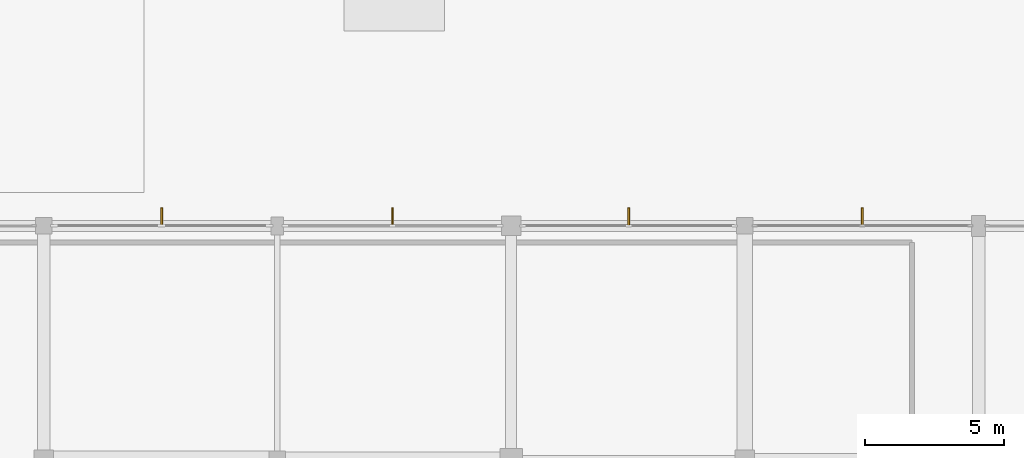
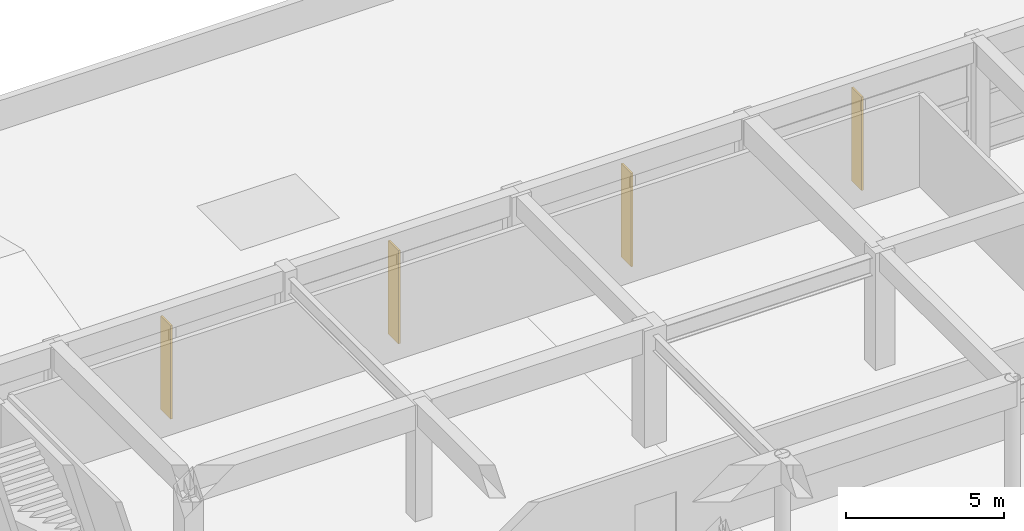
# One storey, part 58 of 60: 4 shading devices.
"""IFC4 building model written with IfcOpenShell, lengths in metres."""

from ifc_helpers import new_model, si_unit, direction, frame, origin, origin_2d, place, context, subcontext, project, spatial, rectangle, extrude, material, type_object, element, save


model = new_model("IFC4")

# Units and contexts
model_context = context("Model", 3, precision=1e-05, world=origin(), true_north=direction((0.0, 1.0)))
body_context = subcontext(model_context, "Body", "Model", "MODEL_VIEW")
ifc_project = project(units=[si_unit("LENGTHUNIT", "METRE"), si_unit("AREAUNIT", "SQUARE_METRE"), si_unit("VOLUMEUNIT", "CUBIC_METRE"), si_unit("PLANEANGLEUNIT", "RADIAN"), si_unit("MASSUNIT", "GRAM", prefix="KILO")], contexts=[model_context])

# Site, building, storey
site_placement = place(None, origin())
site = spatial("IfcSite", under=ifc_project, at=site_placement, CompositionType="ELEMENT")
building_placement = place(site_placement, origin())
building = spatial("IfcBuilding", under=site, at=building_placement, Name="Xuanlan Plaza Opera House", CompositionType="ELEMENT")
storey_placement = place(building_placement, frame((0.0, 0.0, 9.89990234375)))
storey = spatial("IfcBuildingStorey", under=building, at=storey_placement, Name="L02", CompositionType="ELEMENT", Elevation=9.89990234375)

# Shading devices
ifc_material = material(Name="Anodised Aluminium 6063-T6", Category="aluminium")
shading_device_type = type_object("IfcShadingDeviceType", Name="ENV-SHD-BRS01", PredefinedType="JALOUSIE", material=ifc_material)
for number, where, z_axis, x_axis, name in (
    (1, (121.824951171875, 101.125, 0.0400390625), (0.0, 0.0, 1.0), (0.0, 1.0, 0.0), "Parametric Sunshade Fin L02-0131"),
    (2, (113.425048828125, 101.125, 0.0400390625), (0.0, 0.0, 1.0), (0.0, 1.0, 0.0), "Parametric Sunshade Fin L02-0132"),
    (3, (104.9375, 101.125, 0.0400390625), (0.0, 0.0, 1.0), (0.0, 1.0, 0.0), "Parametric Sunshade Fin L02-0133"),
    (4, (96.637451171875, 101.125, 0.0400390625), (0.0, 0.0, 1.0), (0.0, 1.0, 0.0), "Parametric Sunshade Fin L02-0134"),
):
    element("IfcShadingDevice", number, at=place(storey_placement, frame(where, z_axis=z_axis, x_axis=x_axis)), inside=storey, type_object=shading_device_type, Name=name, PredefinedType="JALOUSIE", context=body_context, shape_type="SweptSolid", body=[
        extrude(rectangle(XDim=0.639892578125, YDim=0.070068359375, at=origin_2d()), origin(), (0.0, 0.0, 1.0), 3.60009765625),
    ])

save(model, "model.ifc")
